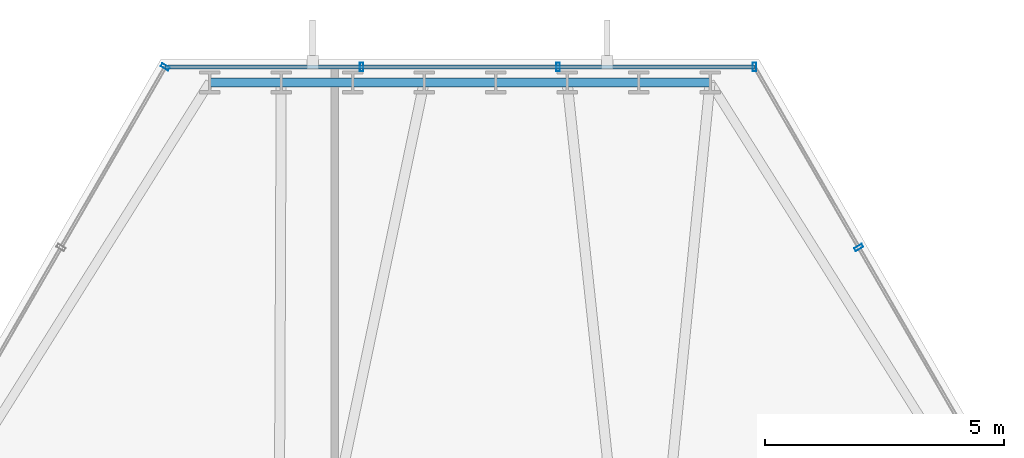
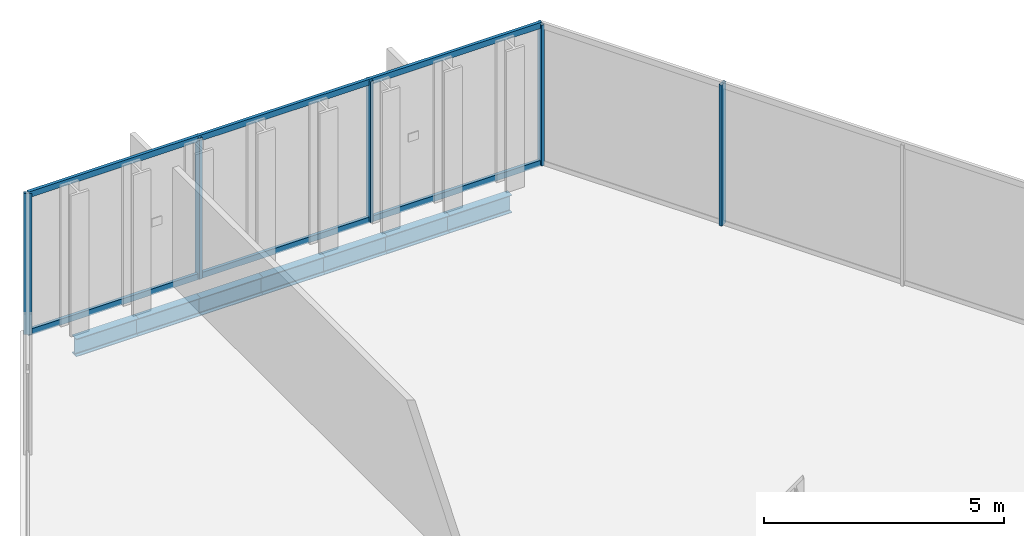
# One storey, part 22 of 32: 7 beams, 7 members, 3 elements without a shape of their own.
"""IFC4 building model written with IfcOpenShell, lengths in metres."""

from ifc_helpers import new_model, si_unit, direction, frame, origin, origin_2d, place, context, subcontext, project, spatial, hollow_rectangle, i_section, extrude, material, layer, layer_set, material_profile, profile_set, type_object, element, aggregate, save


model = new_model("IFC4")

# Units and contexts
model_context = context("Model", 3, precision=1e-05, world=origin(), true_north=direction((0.0, 1.0)))
body_context = subcontext(model_context, "Body", "Model", "MODEL_VIEW")
ifc_project = project(units=[si_unit("LENGTHUNIT", "METRE"), si_unit("AREAUNIT", "SQUARE_METRE"), si_unit("VOLUMEUNIT", "CUBIC_METRE"), si_unit("PLANEANGLEUNIT", "RADIAN"), si_unit("MASSUNIT", "GRAM", prefix="KILO")], contexts=[model_context])

# Site, building, storey
site_placement = place(None, origin())
site = spatial("IfcSite", under=ifc_project, at=site_placement, CompositionType="ELEMENT")
building_placement = place(site_placement, origin())
building = spatial("IfcBuilding", under=site, at=building_placement, Name="Ndaravel Arena Tower", CompositionType="ELEMENT")
storey_placement = place(building_placement, frame((0.0, 0.0, 130.800048828125)))
storey = spatial("IfcBuildingStorey", under=building, at=storey_placement, Name="L30", CompositionType="ELEMENT", Elevation=130.800048828125)

# Beams
ifc_material_1 = material(Name="Steel S355", Category="steel")
ifc_material_profile_1 = material_profile(ifc_material_1, i_section(OverallWidth=0.18994140625, OverallDepth=0.449951171875, WebThickness=0.009521484375, FlangeThickness=0.0146484375, FilletRadius=0.02099609375, at=origin_2d()), Name="IPE 450")
ifc_profile_set_1 = profile_set([ifc_material_profile_1], Name="Steel S355")
beam_type = type_object("IfcBeamType", Name="BM-SPAN-IPE450", PredefinedType="SPANDREL", material=ifc_profile_set_1)
beam_1_placement = place(storey_placement, frame((47.234375, 45.736083984375, -0.445068359375), z_axis=(-1.0, 0.0, 0.0), x_axis=(0.0, -1.0, 0.0)))
element("IfcBeam", 1, at=beam_1_placement, inside=storey, type_object=beam_type, Name="L30 Perimeter Spandrel Beam SP-11", PredefinedType="SPANDREL", context=body_context, shape_type="SweptSolid", body=[
    extrude(i_section(OverallWidth=0.18994140625, OverallDepth=0.449951171875, WebThickness=0.009521484375, FlangeThickness=0.0146484375, FilletRadius=0.02099609375, at=origin_2d()), origin(), (0.0, 0.0, 1.0), 1.49560546875),
])
beam_2_placement = place(storey_placement, frame((45.73876953125, 45.736083984375, -0.445068359375), z_axis=(-1.0, 0.0, 0.0), x_axis=(0.0, -1.0, 0.0)))
element("IfcBeam", 2, at=beam_2_placement, inside=storey, type_object=beam_type, Name="L30 Perimeter Spandrel Beam SP-12", PredefinedType="SPANDREL", context=body_context, shape_type="SweptSolid", body=[
    extrude(i_section(OverallWidth=0.18994140625, OverallDepth=0.449951171875, WebThickness=0.009521484375, FlangeThickness=0.0146484375, FilletRadius=0.02099609375, at=origin_2d()), origin(), (0.0, 0.0, 1.0), 1.495361328125),
])
for number, where, z_axis, x_axis, name in (
    (3, (44.243408203125, 45.736083984375, -0.445068359375), (-1.0, 0.0, 0.0), (0.0, -1.0, 0.0), "L30 Perimeter Spandrel Beam SP-13"),
    (4, (42.747802734375, 45.736083984375, -0.445068359375), (-1.0, 0.0, 0.0), (0.0, -1.0, 0.0), "L30 Perimeter Spandrel Beam SP-14"),
    (5, (41.252197265625, 45.736083984375, -0.445068359375), (-1.0, 0.0, 0.0), (0.0, -1.0, 0.0), "L30 Perimeter Spandrel Beam SP-15"),
):
    element("IfcBeam", number, at=place(storey_placement, frame(where, z_axis=z_axis, x_axis=x_axis)), inside=storey, type_object=beam_type, Name=name, PredefinedType="SPANDREL", context=body_context, shape_type="SweptSolid", body=[
        extrude(i_section(OverallWidth=0.18994140625, OverallDepth=0.449951171875, WebThickness=0.009521484375, FlangeThickness=0.0146484375, FilletRadius=0.02099609375, at=origin_2d()), origin(), (0.0, 0.0, 1.0), 1.49560546875),
    ])
beam_3_placement = place(storey_placement, frame((39.756591796875, 45.736083984375, -0.445068359375), z_axis=(-1.0, 0.0, 0.0), x_axis=(0.0, -1.0, 0.0)))
element("IfcBeam", 6, at=beam_3_placement, inside=storey, type_object=beam_type, Name="L30 Perimeter Spandrel Beam SP-16", PredefinedType="SPANDREL", context=body_context, shape_type="SweptSolid", body=[
    extrude(i_section(OverallWidth=0.18994140625, OverallDepth=0.449951171875, WebThickness=0.009521484375, FlangeThickness=0.0146484375, FilletRadius=0.02099609375, at=origin_2d()), origin(), (0.0, 0.0, 1.0), 1.495361328125),
])
beam_4_placement = place(storey_placement, frame((38.26123046875, 45.736083984375, -0.445068359375), z_axis=(-1.0, 0.0, 0.0), x_axis=(0.0, -1.0, 0.0)))
element("IfcBeam", 7, at=beam_4_placement, inside=storey, type_object=beam_type, Name="L30 Perimeter Spandrel Beam SP-17", PredefinedType="SPANDREL", context=body_context, shape_type="SweptSolid", body=[
    extrude(i_section(OverallWidth=0.18994140625, OverallDepth=0.449951171875, WebThickness=0.009521484375, FlangeThickness=0.0146484375, FilletRadius=0.02099609375, at=origin_2d()), origin(), (0.0, 0.0, 1.0), 1.49560546875),
])

# Curtain wall, member
ifc_material_2 = material(Name="Aluminium", Category="aluminium")
ifc_layer_1 = layer(ifc_material_2, 0.179931640625)
ifc_layer_set_1 = layer_set([ifc_layer_1], Name="Aluminium")
curtain_wall_type_1 = type_object("IfcCurtainWallType", Name="CW-SYS-03", PredefinedType="NOTDEFINED", material=ifc_layer_set_1)
curtain_wall_1_placement = place(storey_placement, origin())
curtain_wall_1 = element("IfcCurtainWall", 8, at=curtain_wall_1_placement, inside=storey, type_object=curtain_wall_type_1, Name="L30 Faceted Crystal Curtain Wall CW-L30-E03", PredefinedType="NOTDEFINED")
ifc_material_3 = material(Name="Aluminium", Category="aluminium")
ifc_material_profile_2 = material_profile(ifc_material_3, hollow_rectangle(XDim=0.074951171875, YDim=0.179931640625, WallThickness=0.00390625, at=origin_2d()), Name="CW MULLION 75x180x4")
ifc_profile_set_2 = profile_set([ifc_material_profile_2], Name="Aluminium")
member_type_1 = type_object("IfcMemberType", Name="MEM-CW-MUL180", PredefinedType="MULLION", material=ifc_profile_set_2)
member_1_placement = place(storey_placement, frame((50.347412109375, 42.279296875, 0.0), z_axis=(0.0, 0.0, 1.0), x_axis=(-0.5, 0.866025403784, 0.0)))
member_1 = element("IfcMember", 9, at=member_1_placement, type_object=member_type_1, Name="CW-L30-E03 Mullion 07", PredefinedType="MULLION", context=body_context, shape_type="SweptSolid", body=[
    extrude(hollow_rectangle(XDim=0.074951171875, YDim=0.179931640625, WallThickness=0.00390625, at=origin_2d()), origin(), (0.0, 0.0, 1.0), 3.579833984375),
])
aggregate(curtain_wall_1, [member_1])

# Curtain wall, members
ifc_material_4 = material(Name="Aluminium", Category="aluminium")
ifc_layer_2 = layer(ifc_material_4, 0.179931640625)
ifc_layer_set_2 = layer_set([ifc_layer_2], Name="Aluminium")
curtain_wall_type_2 = type_object("IfcCurtainWallType", Name="CW-SYS-01", PredefinedType="NOTDEFINED", material=ifc_layer_set_2)
curtain_wall_2_placement = place(storey_placement, origin())
curtain_wall_2 = element("IfcCurtainWall", 10, at=curtain_wall_2_placement, inside=storey, type_object=curtain_wall_type_2, Name="L30 Faceted Crystal Curtain Wall CW-L30-E04", PredefinedType="NOTDEFINED")
member_2_placement = place(storey_placement, frame((48.166748046875, 46.05615234375, 0.0), z_axis=(0.0, 0.0, 1.0), x_axis=(-1.0, 0.0, 0.0)))
member_2 = element("IfcMember", 11, at=member_2_placement, type_object=member_type_1, Name="CW-L30-E04 Mullion 00", PredefinedType="MULLION", context=body_context, shape_type="SweptSolid", body=[
    extrude(hollow_rectangle(XDim=0.074951171875, YDim=0.179931640625, WallThickness=0.00390625, at=origin_2d()), origin(), (0.0, 0.0, 1.0), 3.579833984375),
])
member_3_placement = place(storey_placement, frame((44.0556640625, 46.05615234375, 0.0), z_axis=(0.0, 0.0, 1.0), x_axis=(-1.0, 0.0, 0.0)))
member_3 = element("IfcMember", 12, at=member_3_placement, type_object=member_type_1, Name="CW-L30-E04 Mullion 01", PredefinedType="MULLION", context=body_context, shape_type="SweptSolid", body=[
    extrude(hollow_rectangle(XDim=0.074951171875, YDim=0.179931640625, WallThickness=0.00390625, at=origin_2d()), origin(), (0.0, 0.0, 1.0), 3.579833984375),
])
member_4_placement = place(storey_placement, frame((39.9443359375, 46.05615234375, 0.0), z_axis=(0.0, 0.0, 1.0), x_axis=(-1.0, 0.0, 0.0)))
member_4 = element("IfcMember", 13, at=member_4_placement, type_object=member_type_1, Name="CW-L30-E04 Mullion 02", PredefinedType="MULLION", context=body_context, shape_type="SweptSolid", body=[
    extrude(hollow_rectangle(XDim=0.074951171875, YDim=0.179931640625, WallThickness=0.00390625, at=origin_2d()), origin(), (0.0, 0.0, 1.0), 3.579833984375),
])

# Curtain wall, member
curtain_wall_3_placement = place(storey_placement, origin())
curtain_wall_3 = element("IfcCurtainWall", 14, at=curtain_wall_3_placement, inside=storey, type_object=curtain_wall_type_1, Name="L30 Faceted Crystal Curtain Wall CW-L30-E05", PredefinedType="NOTDEFINED")
member_5_placement = place(storey_placement, frame((35.833251953125, 46.05615234375, 0.0), z_axis=(0.0, 0.0, 1.0), x_axis=(-0.5, -0.866025403784, 0.0)))
member_5 = element("IfcMember", 15, at=member_5_placement, type_object=member_type_1, Name="CW-L30-E05 Mullion 00", PredefinedType="MULLION", context=body_context, shape_type="SweptSolid", body=[
    extrude(hollow_rectangle(XDim=0.074951171875, YDim=0.179931640625, WallThickness=0.00390625, at=origin_2d()), origin(), (0.0, 0.0, 1.0), 3.579833984375),
])
aggregate(curtain_wall_3, [member_5])

# Member
ifc_material_5 = material(Name="Aluminium", Category="aluminium")
ifc_material_profile_3 = material_profile(ifc_material_5, hollow_rectangle(XDim=0.074951171875, YDim=0.14990234375, WallThickness=0.00390625, at=origin_2d()), Name="CW TRANSOM 75x150x4")
ifc_profile_set_3 = profile_set([ifc_material_profile_3], Name="Aluminium")
member_type_2 = type_object("IfcMemberType", Name="MEM-CW-TRN150", PredefinedType="USERDEFINED", material=ifc_profile_set_3)
member_6_placement = place(storey_placement, frame((48.166748046875, 46.05615234375, 0.0400390625), z_axis=(-1.0, 0.0, 0.0), x_axis=(0.0, -1.0, 0.0)))
member_6 = element("IfcMember", 16, at=member_6_placement, type_object=member_type_2, Name="CW-L30-E04 Transom 01", ObjectType="TRANSOM", PredefinedType="USERDEFINED", context=body_context, shape_type="SweptSolid", body=[
    extrude(hollow_rectangle(XDim=0.074951171875, YDim=0.14990234375, WallThickness=0.00390625, at=origin_2d()), origin(), (0.0, 0.0, 1.0), 12.33349609375),
])

member_7_placement = place(storey_placement, frame((48.166748046875, 46.05615234375, 3.5400390625), z_axis=(-1.0, 0.0, 0.0), x_axis=(0.0, -1.0, 0.0)))
member_7 = element("IfcMember", 17, at=member_7_placement, type_object=member_type_2, Name="CW-L30-E04 Transom 02", ObjectType="TRANSOM", PredefinedType="USERDEFINED", context=body_context, shape_type="SweptSolid", body=[
    extrude(hollow_rectangle(XDim=0.074951171875, YDim=0.14990234375, WallThickness=0.00390625, at=origin_2d()), origin(), (0.0, 0.0, 1.0), 12.33349609375),
])

aggregate(curtain_wall_2, [member_2, member_3, member_4, member_6, member_7])

save(model, "model.ifc")
